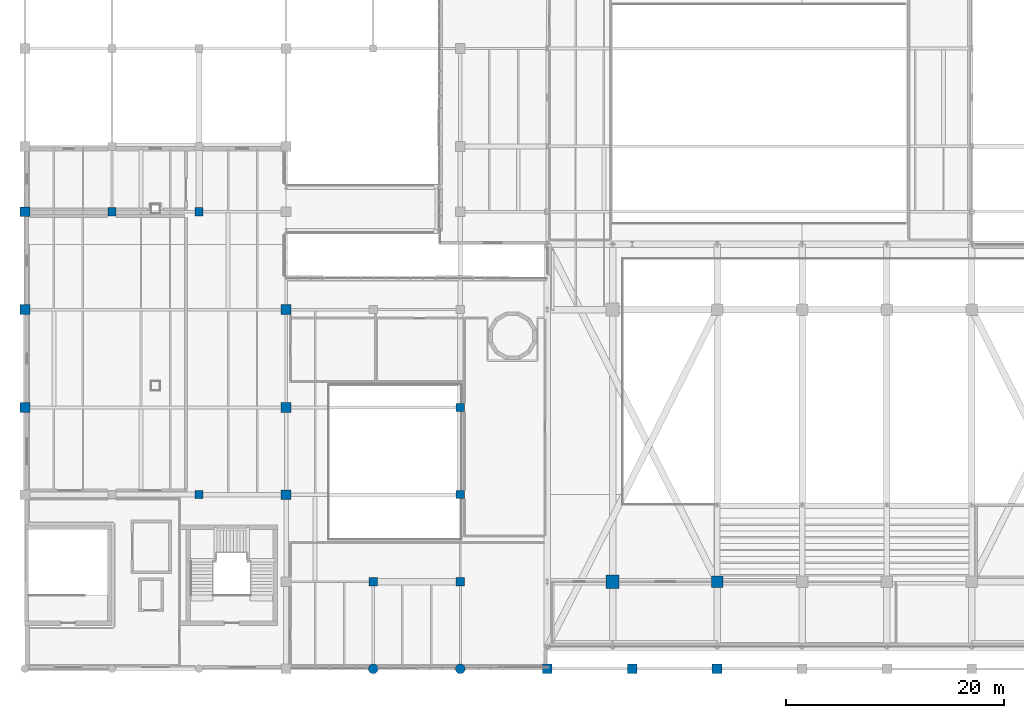
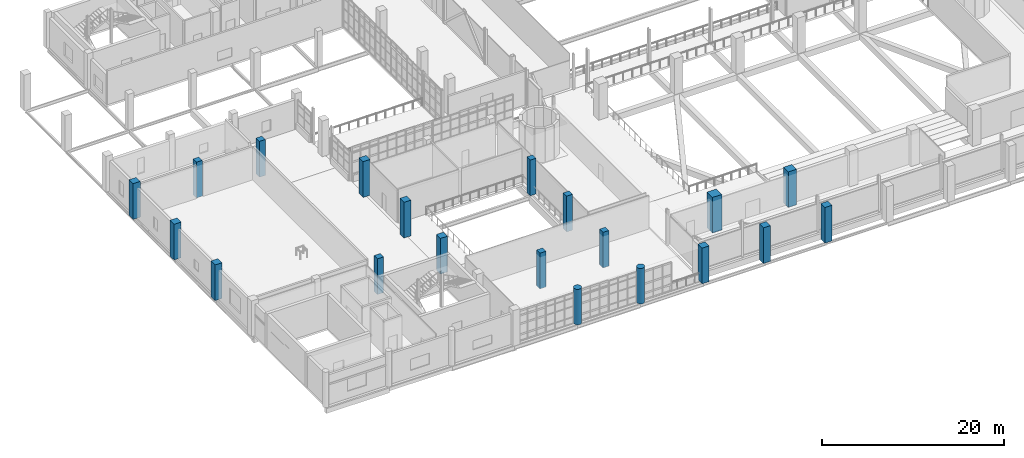
# One storey, part 2 of 100: 20 columns.
"""IFC4 building model written with IfcOpenShell, lengths in metres."""

from ifc_helpers import new_model, si_unit, derived_unit, direction, frame, origin, origin_2d, place, context, subcontext, project, spatial, rectangle, circle, extrude, material, material_profile, profile_set, type_object, element, save


model = new_model("IFC4")

# Units and contexts
model_context = context("Model", 3, precision=1e-05, world=origin(), true_north=direction((0.0, 1.0)))
body_context = subcontext(model_context, "Body", "Model", "MODEL_VIEW")
ifc_project = project(units=[si_unit("LENGTHUNIT", "METRE"), si_unit("AREAUNIT", "SQUARE_METRE"), si_unit("VOLUMEUNIT", "CUBIC_METRE"), si_unit("PLANEANGLEUNIT", "RADIAN"), si_unit("MASSUNIT", "GRAM", prefix="KILO"), derived_unit("THERMALTRANSMITTANCEUNIT", [(si_unit("POWERUNIT", "WATT"), 1), (si_unit("LENGTHUNIT", "METRE"), -2), (si_unit("THERMODYNAMICTEMPERATUREUNIT", "KELVIN"), -1)])], contexts=[model_context])

# Site, building, storey
site_placement = place(None, origin())
site = spatial("IfcSite", under=ifc_project, at=site_placement, CompositionType="ELEMENT")
building_placement = place(site_placement, origin())
building = spatial("IfcBuilding", under=site, at=building_placement, Name="Nallur Shell Playhouse", CompositionType="ELEMENT")
storey_placement = place(building_placement, frame((0.0, 0.0, 10.199951171875)))
storey = spatial("IfcBuildingStorey", under=building, at=storey_placement, Name="L03", CompositionType="ELEMENT", Elevation=10.199951171875)

# Columns
ifc_material_1 = material(Name="Concrete M45", Category="concrete")
ifc_material_profile_1 = material_profile(ifc_material_1, rectangle(XDim=1.050048828125, YDim=1.050048828125, at=origin_2d()), Name="RC 1050x1050")
ifc_profile_set_1 = profile_set([ifc_material_profile_1], Name="Concrete M45")
column_type_1 = type_object("IfcColumnType", Name="CL-RC-1050", PredefinedType="COLUMN", material=ifc_profile_set_1)
column_1_placement = place(storey_placement, frame((79.60009765625, 16.0, 0.0), z_axis=(0.0, 0.0, 1.0), x_axis=(1.0, 0.0, 0.0)))
element("IfcColumn", 1, at=column_1_placement, inside=storey, type_object=column_type_1, Name="Column MC2S (L03)", PredefinedType="COLUMN", context=body_context, shape_type="SweptSolid", body=[
    extrude(rectangle(XDim=1.050048828125, YDim=1.050048828125, at=origin_2d()), origin(), (0.0, 0.0, 1.0), 4.800048828125),
])
ifc_material_profile_2 = material_profile(ifc_material_1, rectangle(XDim=1.199951171875, YDim=1.199951171875, at=origin_2d()), Name="RC 1200x1200")
ifc_profile_set_2 = profile_set([ifc_material_profile_2], Name="Concrete M45")
column_type_2 = type_object("IfcColumnType", Name="CL-RC-1200", PredefinedType="COLUMN", material=ifc_profile_set_2)
column_2_placement = place(storey_placement, frame((70.0, 16.0, 0.0), z_axis=(0.0, 0.0, 1.0), x_axis=(1.0, 0.0, 0.0)))
element("IfcColumn", 2, at=column_2_placement, inside=storey, type_object=column_type_2, Name="Column MC1S (L03)", PredefinedType="COLUMN", context=body_context, shape_type="SweptSolid", body=[
    extrude(rectangle(XDim=1.199951171875, YDim=1.199951171875, at=origin_2d()), origin(), (0.0, 0.0, 1.0), 4.800048828125),
])
ifc_material_2 = material(Name="Concrete M40", Category="concrete")
ifc_material_profile_3 = material_profile(ifc_material_2, rectangle(XDim=0.75, YDim=0.75, at=origin_2d()), Name="RC 750x750")
ifc_profile_set_3 = profile_set([ifc_material_profile_3], Name="Concrete M40")
column_type_3 = type_object("IfcColumnType", Name="CL-RC-750", PredefinedType="COLUMN", material=ifc_profile_set_3)
for number, where, z_axis, x_axis, name in (
    (3, (24.0, 50.0, 0.0), (0.0, 0.0, 1.0), (1.0, 0.0, 0.0), "Column 3-F (L03)"),
    (4, (32.0, 24.0, 0.0), (0.0, 0.0, 1.0), (1.0, 0.0, 0.0), "Column 4-C (L03)"),
    (5, (32.0, 50.0, 0.0), (0.0, 0.0, 1.0), (1.0, 0.0, 0.0), "Column 4-F (L03)"),
    (6, (48.0, 16.0, 0.0), (0.0, 0.0, 1.0), (1.0, 0.0, 0.0), "Column 6-B (L03)"),
    (7, (56.0, 16.0, 0.0), (0.0, 0.0, 1.0), (1.0, 0.0, 0.0), "Column 7-B (L03)"),
    (8, (56.0, 24.0, 0.0), (0.0, 0.0, 1.0), (1.0, 0.0, 0.0), "Column 7-C (L03)"),
    (9, (56.0, 32.0, 0.0), (0.0, 0.0, 1.0), (1.0, 0.0, 0.0), "Column 7-D (L03)"),
):
    element("IfcColumn", number, at=place(storey_placement, frame(where, z_axis=z_axis, x_axis=x_axis)), inside=storey, type_object=column_type_3, Name=name, PredefinedType="COLUMN", context=body_context, shape_type="SweptSolid", body=[
        extrude(rectangle(XDim=0.75, YDim=0.75, at=origin_2d()), origin(), (0.0, 0.0, 1.0), 4.800048828125),
    ])
ifc_material_profile_4 = material_profile(ifc_material_2, rectangle(XDim=0.89990234375, YDim=0.89990234375, at=origin_2d()), Name="RC 900x900")
ifc_profile_set_4 = profile_set([ifc_material_profile_4], Name="Concrete M40")
column_type_4 = type_object("IfcColumnType", Name="CL-RC-900", PredefinedType="COLUMN", material=ifc_profile_set_4)
for number, where, z_axis, x_axis, name in (
    (10, (16.0, 32.0, 0.0), (0.0, 0.0, 1.0), (1.0, 0.0, 0.0), "Column 2-D (L03)"),
    (11, (16.0, 41.0, 0.0), (0.0, 0.0, 1.0), (1.0, 0.0, 0.0), "Column 2-E (L03)"),
    (12, (16.0, 50.0, 0.0), (0.0, 0.0, 1.0), (1.0, 0.0, 0.0), "Column 2-F (L03)"),
    (13, (40.0, 24.0, 0.0), (0.0, 0.0, 1.0), (1.0, 0.0, 0.0), "Column 5-C (L03)"),
    (14, (40.0, 32.0, 0.0), (0.0, 0.0, 1.0), (1.0, 0.0, 0.0), "Column 5-D (L03)"),
    (15, (40.0, 41.0, 0.0), (0.0, 0.0, 1.0), (1.0, 0.0, 0.0), "Column 5-E (L03)"),
    (16, (64.0, 8.0, 0.0), (0.0, 0.0, 1.0), (1.0, 0.0, 0.0), "Column 8-A (L03)"),
    (17, (71.800048828125, 8.0, 0.0), (0.0, 0.0, 1.0), (1.0, 0.0, 0.0), "Column 9-A (L03)"),
    (18, (79.60009765625, 8.0, 0.0), (0.0, 0.0, 1.0), (1.0, 0.0, 0.0), "Column 10-A (L03)"),
):
    element("IfcColumn", number, at=place(storey_placement, frame(where, z_axis=z_axis, x_axis=x_axis)), inside=storey, type_object=column_type_4, Name=name, PredefinedType="COLUMN", context=body_context, shape_type="SweptSolid", body=[
        extrude(rectangle(XDim=0.89990234375, YDim=0.89990234375, at=origin_2d()), origin(), (0.0, 0.0, 1.0), 4.800048828125),
    ])
ifc_material_profile_5 = material_profile(ifc_material_1, circle(Radius=0.449951171875, at=origin_2d()), Name="RC D900")
ifc_profile_set_5 = profile_set([ifc_material_profile_5], Name="Concrete M45")
column_type_5 = type_object("IfcColumnType", Name="CL-RCD-900", PredefinedType="COLUMN", material=ifc_profile_set_5)
for number, where, z_axis, x_axis, name in (
    (19, (48.0, 8.0, 0.0), (0.0, 0.0, 1.0), (1.0, 0.0, 0.0), "Column 6-A (L03)"),
    (20, (56.0, 8.0, 0.0), (0.0, 0.0, 1.0), (1.0, 0.0, 0.0), "Column 7-A (L03)"),
):
    element("IfcColumn", number, at=place(storey_placement, frame(where, z_axis=z_axis, x_axis=x_axis)), inside=storey, type_object=column_type_5, Name=name, PredefinedType="COLUMN", context=body_context, shape_type="SweptSolid", body=[
        extrude(circle(Radius=0.449951171875, at=origin_2d()), origin(), (0.0, 0.0, 1.0), 4.760009765625),
    ])

save(model, "model.ifc")
